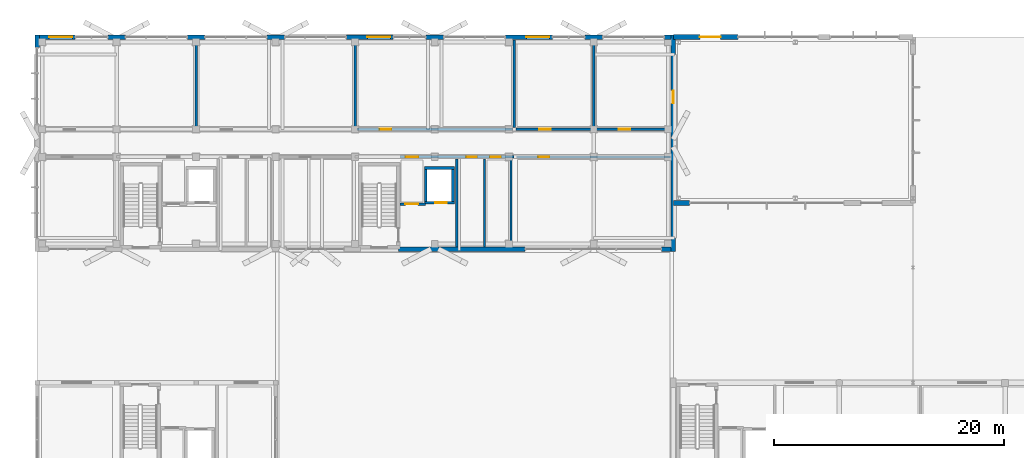
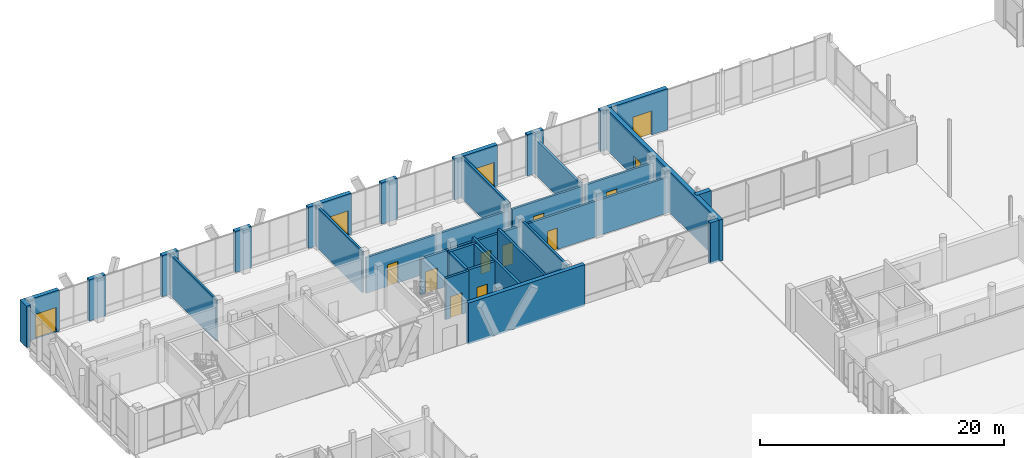
# One storey, part 198 of 233: 32 walls, 14 doors, 14 openings.
"""IFC4 building model written with IfcOpenShell, lengths in metres."""

import ifcopenshell
import ifcopenshell.guid

model = None  # the IFC model being written
_history = None  # IfcOwnerHistory: only IFC2X3 demands one
_inside = {}  # id of a spatial element -> (the spatial element, [elements in it])
_under = {}  # id of a project, library or spatial element -> (it, [spatial elements below it])
_declared = {}  # id of a project -> (the project, [libraries it declares])
_typed = {}  # id of a type object -> (the type object, [elements of that type])
_made_of = {}  # id of a material, layer set ... -> (it, [elements and type objects made of it])


def new_model(schema):
    """Start an empty IFC model of exactly this schema.

    Asked for "IFC4X3", IfcOpenShell would pick the latest addendum, in which some entities
    have other attributes; the version numbers below select the first issue.
    IFC2X3 requires an IfcOwnerHistory on every rooted entity: one is made here for all.
    """
    global model, _history
    if schema == "IFC4X3":
        model = ifcopenshell.file(schema_version=(4, 3, 0, 0))
    else:
        model = ifcopenshell.file(schema=schema)
    _inside.clear()
    _under.clear()
    _declared.clear()
    _typed.clear()
    _made_of.clear()
    _history = None
    if model.schema == "IFC2X3":
        org = make("IfcOrganization", Name="unknown")
        user = make(
            "IfcPersonAndOrganization",
            ThePerson=make("IfcPerson", FamilyName="unknown"),
            TheOrganization=org,
        )
        app = make(
            "IfcApplication",
            ApplicationDeveloper=org,
            Version="unknown",
            ApplicationFullName="unknown",
            ApplicationIdentifier="unknown",
        )
        _history = make(
            "IfcOwnerHistory",
            OwningUser=user,
            OwningApplication=app,
            ChangeAction="ADDED",
            CreationDate=0,
        )
    return model


def make(cls, **values):
    """One entity of the class cls with the attributes given. An attribute that is None is left unset."""
    return model.create_entity(
        cls, **{name: value for name, value in values.items() if value is not None}
    )


def rooted(cls, **values):
    """An entity with a GlobalId (a new one), such as an element, a storey or a relation."""
    return make(cls, GlobalId=ifcopenshell.guid.new(), OwnerHistory=_history, **values)


def si_unit(unit_type, name, prefix=None):
    """IfcSIUnit, for example si_unit("LENGTHUNIT", "METRE", prefix="MILLI")."""
    return make("IfcSIUnit", UnitType=unit_type, Prefix=prefix, Name=name)


def assignment(units):
    """IfcUnitAssignment: the units of a project."""
    return None if units is None else make("IfcUnitAssignment", Units=units)


def point(xyz):
    """IfcCartesianPoint."""
    return None if xyz is None else make("IfcCartesianPoint", Coordinates=xyz)


def direction(xyz):
    """IfcDirection."""
    return None if xyz is None else make("IfcDirection", DirectionRatios=xyz)


def frame(location, z_axis=None, x_axis=None):
    """IfcAxis2Placement3D, a coordinate frame: its origin and axes. An axis left out is left unset."""
    return make(
        "IfcAxis2Placement3D",
        Location=point(location),
        Axis=direction(z_axis),
        RefDirection=direction(x_axis),
    )


def frame_2d(location, x_axis=None):
    """IfcAxis2Placement2D, a coordinate frame in the plane: its origin and x axis."""
    return make(
        "IfcAxis2Placement2D", Location=point(location), RefDirection=direction(x_axis)
    )


def origin():
    """The frame at (0, 0, 0) with its axes left unset."""
    return frame((0.0, 0.0, 0.0))


def origin_with_axes():
    """The frame at (0, 0, 0) with the z axis (0, 0, 1) and the x axis (1, 0, 0) written out."""
    return frame((0.0, 0.0, 0.0), z_axis=(0.0, 0.0, 1.0), x_axis=(1.0, 0.0, 0.0))


def place(relative_to, where):
    """IfcLocalPlacement: puts the frame where relative to a parent placement (None: the world)."""
    return make(
        "IfcLocalPlacement", PlacementRelTo=relative_to, RelativePlacement=where
    )


def context(
    kind, dimensions, precision=None, world=None, true_north=None, identifier=None
):
    """IfcGeometricRepresentationContext, for example the 3D "Model" context."""
    return make(
        "IfcGeometricRepresentationContext",
        ContextIdentifier=identifier,
        ContextType=kind,
        CoordinateSpaceDimension=dimensions,
        Precision=precision,
        WorldCoordinateSystem=world,
        TrueNorth=true_north,
    )


def subcontext(parent, identifier, kind, view, scale=None):
    """IfcGeometricRepresentationSubContext, for example "Body" below "Model"."""
    return make(
        "IfcGeometricRepresentationSubContext",
        ContextIdentifier=identifier,
        ContextType=kind,
        ParentContext=parent,
        TargetScale=scale,
        TargetView=view,
    )


def project(units=None, contexts=None):
    """IfcProject with its units and contexts."""
    return rooted(
        "IfcProject",
        Name="project",
        RepresentationContexts=contexts,
        UnitsInContext=assignment(units),
    )


def spatial(cls, under=None, at=None, **own):
    """A site, building, storey or space (cls), placed at a placement, below another one or the project."""
    s = rooted(cls, ObjectPlacement=at, **own)
    if under is not None:
        _under.setdefault(under.id(), (under, []))[1].append(s)
    return s


def profile(cls, at=None, kind="AREA", **sizes):
    """A parametric profile (cls). Its sizes go by their IFC names, for example OverallWidth=200.0."""
    return make(cls, ProfileType=kind, Position=at, **sizes)


def rectangle(**sizes):
    """IfcRectangleProfileDef."""
    return profile("IfcRectangleProfileDef", **sizes)


def extrude(swept, where, along, depth):
    """IfcExtrudedAreaSolid: the profile swept, set in the frame where, extruded along a direction by depth."""
    return make(
        "IfcExtrudedAreaSolid",
        SweptArea=swept,
        Position=where,
        ExtrudedDirection=direction(along),
        Depth=depth,
    )


def shape(context_of_items, identifier, shape_type, items):
    """IfcShapeRepresentation: the items that make up one representation, for example the "Body"."""
    return make(
        "IfcShapeRepresentation",
        ContextOfItems=context_of_items,
        RepresentationIdentifier=identifier,
        RepresentationType=shape_type,
        Items=items,
    )


def material(Name=None, Category=None):
    """IfcMaterial."""
    return make("IfcMaterial", Name=Name, Category=Category)


def layer(
    of_material, thickness, ventilated=None, Name=None, Category=None, Priority=None
):
    """IfcMaterialLayer: one layer of a wall or slab, of a material (None: an air gap)."""
    return make(
        "IfcMaterialLayer",
        Material=of_material,
        LayerThickness=thickness,
        IsVentilated=ventilated,
        Name=Name,
        Category=Category,
        Priority=Priority,
    )


def layer_set(layers, Name=None):
    """IfcMaterialLayerSet."""
    return make("IfcMaterialLayerSet", MaterialLayers=layers, LayerSetName=Name)


def made_of(thing, what):
    """Note that an element or type object is made of a material, layer set ...; save() writes the relation."""
    if what is not None:
        _made_of.setdefault(what.id(), (what, []))[1].append(thing)
    return thing


def type_object(cls, material=None, **own):
    """A type object (cls), such as IfcWallType, which elements share."""
    return made_of(rooted(cls, **own), material)


def element(
    cls,
    number,
    at=None,
    inside=None,
    cuts=None,
    type_object=None,
    material=None,
    context=None,
    identifier="Body",
    shape_type=None,
    held_by="IfcProductDefinitionShape",
    body=None,
    shapes=None,
    **own,
):
    """One element of the class cls, such as IfcWall. Its Tag is "e" and its number.

    at: its placement. inside: the storey or other place that contains it. cuts: it is an
    opening in that element (IfcRelVoidsElement). A single representation is given by context,
    identifier, shape_type and body (its items); several are given by shapes. held_by: the class
    of the entity that holds the representations. save() writes the other relations.
    """
    e = rooted(cls, Tag="e%d" % number, ObjectPlacement=at, **own)
    if body is not None:
        shapes = [shape(context, identifier, shape_type, body)]
    if shapes is not None:
        e.Representation = make(held_by, Representations=shapes)
    if inside is not None:
        _inside.setdefault(inside.id(), (inside, []))[1].append(e)
    if cuts is not None:
        rooted(
            "IfcRelVoidsElement", RelatingBuildingElement=cuts, RelatedOpeningElement=e
        )
    if type_object is not None:
        _typed.setdefault(type_object.id(), (type_object, []))[1].append(e)
    return made_of(e, material)


def fill(opening, filler):
    """IfcRelFillsElement: the door or window that sits in an opening."""
    return rooted(
        "IfcRelFillsElement",
        RelatingOpeningElement=opening,
        RelatedBuildingElement=filler,
    )


def aggregate(whole, parts):
    """IfcRelAggregates: a whole, such as a stair, and the parts it consists of."""
    return rooted("IfcRelAggregates", RelatingObject=whole, RelatedObjects=parts)


def save(model, path):
    """Write the relations noted so far, then the file.

    IfcRelAggregates (storeys below a building ...), IfcRelContainedInSpatialStructure (elements
    in a storey), IfcRelDefinesByType, IfcRelAssociatesMaterial and IfcRelDeclares: one each for
    every whole, place, type object, material and project.
    """
    for whole, parts in _under.values():
        aggregate(whole, parts)
    for where, things in _inside.values():
        rooted(
            "IfcRelContainedInSpatialStructure",
            RelatedElements=things,
            RelatingStructure=where,
        )
    for kind, things in _typed.values():
        rooted("IfcRelDefinesByType", RelatedObjects=things, RelatingType=kind)
    for what, things in _made_of.values():
        rooted("IfcRelAssociatesMaterial", RelatedObjects=things, RelatingMaterial=what)
    for by, libraries in _declared.values():
        rooted("IfcRelDeclares", RelatingContext=by, RelatedDefinitions=libraries)
    model.write(path)


model = new_model("IFC4")

# Units and contexts
model_context = context("Model", 3, precision=1e-05, world=origin(), true_north=direction((0.0, 1.0)))
body_context = subcontext(model_context, "Body", "Model", "MODEL_VIEW")
ifc_project = project(units=[si_unit("LENGTHUNIT", "METRE"), si_unit("AREAUNIT", "SQUARE_METRE"), si_unit("VOLUMEUNIT", "CUBIC_METRE"), si_unit("PLANEANGLEUNIT", "RADIAN"), si_unit("MASSUNIT", "GRAM", prefix="KILO")], contexts=[model_context])

# Site, building, storey
site_placement = place(None, origin())
site = spatial("IfcSite", under=ifc_project, at=site_placement, CompositionType="ELEMENT")
building_placement = place(site_placement, origin())
building = spatial("IfcBuilding", under=site, at=building_placement, Name="Zavelmont Quarter", CompositionType="ELEMENT")
storey_placement = place(building_placement, origin())
storey = spatial("IfcBuildingStorey", under=building, at=storey_placement, Name="L00", CompositionType="ELEMENT", Elevation=0.0)

# Walls
ifc_material_1 = material(Name="Natural Belgian limestone", Category="masonry")
ifc_layer_1 = layer(ifc_material_1, 0.3798828125)
ifc_layer_set_1 = layer_set([ifc_layer_1], Name="Natural Belgian limestone")
wall_type_1 = type_object("IfcWallType", Name="EW01", PredefinedType="STANDARD", material=ifc_layer_set_1)
wall_1_placement = place(storey_placement, frame((31.35009765625, 97.60009765625, 0.0), z_axis=(0.0, 0.0, 1.0), x_axis=(1.0, 0.0, 0.0)))
element("IfcWall", 1, at=wall_1_placement, inside=storey, type_object=wall_type_1, Name="L00 exterior limestone wall EW01", PredefinedType="STANDARD", context=body_context, shape_type="SweptSolid", body=[
    extrude(rectangle(XDim=11.0, YDim=0.3798828125, at=frame_2d((5.5, 0.0))), origin(), (0.0, 0.0, 1.0), 4.1201171875),
])
wall_2_placement = place(storey_placement, frame((54.199951171875, 97.60009765625, 0.0), z_axis=(0.0, 0.0, 1.0), x_axis=(1.0, 0.0, 0.0)))
element("IfcWall", 2, at=wall_2_placement, inside=storey, type_object=wall_type_1, Name="L00 exterior limestone wall EW01", PredefinedType="STANDARD", context=body_context, shape_type="SweptSolid", body=[
    extrude(rectangle(XDim=0.820068359375, YDim=0.3798828125, at=frame_2d((0.41015625, 0.0))), origin(), (0.0, 0.0, 1.0), 4.1201171875),
])

# Wall, opening, door
wall_3_placement = place(storey_placement, frame((0.179931640625, 116.0, 0.0), z_axis=(0.0, 0.0, 1.0), x_axis=(1.0, 0.0, 0.0)))
wall_3 = element("IfcWall", 3, at=wall_3_placement, inside=storey, type_object=wall_type_1, Name="L00 exterior limestone wall EW01", PredefinedType="STANDARD", context=body_context, shape_type="SweptSolid", body=[
    extrude(rectangle(XDim=3.1201171875, YDim=0.3798828125, at=frame_2d((1.56005859375, 0.0))), origin(), (0.0, 0.0, 1.0), 4.1201171875),
])
opening_1_placement = place(wall_3_placement, frame((0.8701171875, 0.0, 0.0)))
opening_1 = element("IfcOpeningElement", 4, at=opening_1_placement, cuts=wall_3, Name="Opening DR01A", PredefinedType="OPENING", context=body_context, shape_type="SweptSolid", body=[
    extrude(rectangle(XDim=2.0, YDim=2.449951171875, at=frame_2d((1.0, 1.22509765625))), frame((0.0, 0.201904296875, 0.0), z_axis=(0.0, -1.0, 0.0), x_axis=(1.0, 0.0, 0.0)), (0.0, 0.0, 1.0), 0.40380859375),
])
ifc_material_2 = material(Name="Powder-coated aluminium and tempered double safety glass", Category="aluminium")
door_type_1 = type_object("IfcDoorType", Name="DR01A", OperationType="DOUBLE_DOOR_SINGLE_SWING", PredefinedType="DOOR", material=ifc_material_2)
door_1_placement = place(opening_1_placement, origin_with_axes())
door_1 = element("IfcDoor", 5, at=door_1_placement, inside=storey, type_object=door_type_1, Name="Block B street entrance final exit door", OperationType="DOUBLE_DOOR_SINGLE_SWING", OverallHeight=2.449951171875, OverallWidth=2.0, PredefinedType="DOOR", context=body_context, shape_type="SweptSolid", body=[
    extrude(rectangle(XDim=2.0, YDim=2.449951171875, at=frame_2d((1.0, 1.22509765625))), frame((0.0, 0.02490234375, 0.0), z_axis=(0.0, -1.0, 0.0), x_axis=(1.0, 0.0, 0.0)), (0.0, 0.0, 1.0), 0.050048828125),
])
fill(opening_1, door_1)

# Walls
for number, where, z_axis, x_axis, name in (
    (6, (6.14990234375, 116.0, 0.0), (0.0, 0.0, 1.0), (1.0, 0.0, 0.0), "L00 exterior limestone wall EW01"),
    (7, (13.050048828125, 116.0, 0.0), (0.0, 0.0, 1.0), (1.0, 0.0, 0.0), "L00 exterior limestone wall EW01"),
    (8, (19.949951171875, 116.0, 0.0), (0.0, 0.0, 1.0), (1.0, 0.0, 0.0), "L00 exterior limestone wall EW01"),
):
    element("IfcWall", number, at=place(storey_placement, frame(where, z_axis=z_axis, x_axis=x_axis)), inside=storey, type_object=wall_type_1, Name=name, PredefinedType="STANDARD", context=body_context, shape_type="SweptSolid", body=[
        extrude(rectangle(XDim=1.5, YDim=0.3798828125, at=frame_2d((0.75, 0.0))), origin(), (0.0, 0.0, 1.0), 4.1201171875),
    ])

# Wall, opening, door
wall_4_placement = place(storey_placement, frame((26.85009765625, 116.0, 0.0), z_axis=(0.0, 0.0, 1.0), x_axis=(1.0, 0.0, 0.0)))
wall_4 = element("IfcWall", 9, at=wall_4_placement, inside=storey, type_object=wall_type_1, Name="L00 exterior limestone wall EW01", PredefinedType="STANDARD", context=body_context, shape_type="SweptSolid", body=[
    extrude(rectangle(XDim=4.0498046875, YDim=0.3798828125, at=frame_2d((2.02490234375, 0.0))), origin(), (0.0, 0.0, 1.0), 4.1201171875),
])
opening_2_placement = place(wall_4_placement, frame((1.800048828125, 0.0, 0.0)))
opening_2 = element("IfcOpeningElement", 10, at=opening_2_placement, cuts=wall_4, Name="Opening DR01A", PredefinedType="OPENING", context=body_context, shape_type="SweptSolid", body=[
    extrude(rectangle(XDim=2.0, YDim=2.449951171875, at=frame_2d((1.0, 1.22509765625))), frame((0.0, 0.201904296875, 0.0), z_axis=(0.0, -1.0, 0.0), x_axis=(1.0, 0.0, 0.0)), (0.0, 0.0, 1.0), 0.40380859375),
])
door_2_placement = place(opening_2_placement, origin_with_axes())
door_2 = element("IfcDoor", 11, at=door_2_placement, inside=storey, type_object=door_type_1, Name="Block B street entrance final exit door", OperationType="DOUBLE_DOOR_SINGLE_SWING", OverallHeight=2.449951171875, OverallWidth=2.0, PredefinedType="DOOR", context=body_context, shape_type="SweptSolid", body=[
    extrude(rectangle(XDim=2.0, YDim=2.449951171875, at=frame_2d((1.0, 1.22509765625))), frame((0.0, 0.02490234375, 0.0), z_axis=(0.0, -1.0, 0.0), x_axis=(1.0, 0.0, 0.0)), (0.0, 0.0, 1.0), 0.050048828125),
])
fill(opening_2, door_2)

# Wall
wall_5_placement = place(storey_placement, frame((33.75, 116.0, 0.0), z_axis=(0.0, 0.0, 1.0), x_axis=(1.0, 0.0, 0.0)))
element("IfcWall", 12, at=wall_5_placement, inside=storey, type_object=wall_type_1, Name="L00 exterior limestone wall EW01", PredefinedType="STANDARD", context=body_context, shape_type="SweptSolid", body=[
    extrude(rectangle(XDim=1.5, YDim=0.3798828125, at=frame_2d((0.75, 0.0))), origin(), (0.0, 0.0, 1.0), 4.1201171875),
])

# Wall, opening, door
wall_6_placement = place(storey_placement, frame((40.64990234375, 116.0, 0.0), z_axis=(0.0, 0.0, 1.0), x_axis=(1.0, 0.0, 0.0)))
wall_6 = element("IfcWall", 13, at=wall_6_placement, inside=storey, type_object=wall_type_1, Name="L00 exterior limestone wall EW01", PredefinedType="STANDARD", context=body_context, shape_type="SweptSolid", body=[
    extrude(rectangle(XDim=4.050048828125, YDim=0.3798828125, at=frame_2d((2.02490234375, 0.0))), origin(), (0.0, 0.0, 1.0), 4.1201171875),
])
opening_3_placement = place(wall_6_placement, frame((1.800048828125, 0.0, 0.0)))
opening_3 = element("IfcOpeningElement", 14, at=opening_3_placement, cuts=wall_6, Name="Opening DR01A", PredefinedType="OPENING", context=body_context, shape_type="SweptSolid", body=[
    extrude(rectangle(XDim=2.0, YDim=2.449951171875, at=frame_2d((1.0, 1.22509765625))), frame((0.0, 0.201904296875, 0.0), z_axis=(0.0, -1.0, 0.0), x_axis=(1.0, 0.0, 0.0)), (0.0, 0.0, 1.0), 0.40380859375),
])
door_3_placement = place(opening_3_placement, origin_with_axes())
door_3 = element("IfcDoor", 15, at=door_3_placement, inside=storey, type_object=door_type_1, Name="Block B street entrance final exit door", OperationType="DOUBLE_DOOR_SINGLE_SWING", OverallHeight=2.449951171875, OverallWidth=2.0, PredefinedType="DOOR", context=body_context, shape_type="SweptSolid", body=[
    extrude(rectangle(XDim=2.0, YDim=2.449951171875, at=frame_2d((1.0, 1.22509765625))), frame((0.0, 0.02490234375, 0.0), z_axis=(0.0, -1.0, 0.0), x_axis=(1.0, 0.0, 0.0)), (0.0, 0.0, 1.0), 0.050048828125),
])
fill(opening_3, door_3)

# Walls
wall_7_placement = place(storey_placement, frame((47.550048828125, 116.0, 0.0), z_axis=(0.0, 0.0, 1.0), x_axis=(1.0, 0.0, 0.0)))
element("IfcWall", 16, at=wall_7_placement, inside=storey, type_object=wall_type_1, Name="L00 exterior limestone wall EW01", PredefinedType="STANDARD", context=body_context, shape_type="SweptSolid", body=[
    extrude(rectangle(XDim=1.5, YDim=0.3798828125, at=frame_2d((0.75, 0.0))), origin(), (0.0, 0.0, 1.0), 4.1201171875),
])
wall_8_placement = place(storey_placement, frame((54.449951171875, 116.0, 0.0), z_axis=(0.0, 0.0, 1.0), x_axis=(1.0, 0.0, 0.0)))
element("IfcWall", 17, at=wall_8_placement, inside=storey, type_object=wall_type_1, Name="L00 exterior limestone wall EW01", PredefinedType="STANDARD", context=body_context, shape_type="SweptSolid", body=[
    extrude(rectangle(XDim=0.570068359375, YDim=0.3798828125, at=frame_2d((0.28515625, 0.0))), origin(), (0.0, 0.0, 1.0), 4.1201171875),
])
wall_9_placement = place(storey_placement, frame((0.0, 115.10009765625, 0.0), z_axis=(0.0, 0.0, 1.0), x_axis=(0.0, 1.0, 0.0)))
element("IfcWall", 18, at=wall_9_placement, inside=storey, type_object=wall_type_1, Name="L00 exterior limestone wall EW01", PredefinedType="STANDARD", context=body_context, shape_type="SweptSolid", body=[
    extrude(rectangle(XDim=1.08984375, YDim=0.3798828125, at=frame_2d((0.544921875, 0.0))), origin(), (0.0, 0.0, 1.0), 4.1201171875),
])

# Wall, opening, door
wall_10_placement = place(storey_placement, frame((55.199951171875, 97.409912109375, 0.0), z_axis=(0.0, 0.0, 1.0), x_axis=(0.0, 1.0, 0.0)))
wall_10 = element("IfcWall", 19, at=wall_10_placement, inside=storey, type_object=wall_type_1, Name="L00 exterior limestone wall EW01", PredefinedType="STANDARD", context=body_context, shape_type="SweptSolid", body=[
    extrude(rectangle(XDim=18.780029296875, YDim=0.3798828125, at=frame_2d((9.39013671875, 0.0))), origin(), (0.0, 0.0, 1.0), 4.1201171875),
])
opening_4_placement = place(wall_10_placement, frame((12.840087890625, 0.0, 0.0)))
opening_4 = element("IfcOpeningElement", 20, at=opening_4_placement, cuts=wall_10, Name="Opening DR04B", PredefinedType="OPENING", context=body_context, shape_type="SweptSolid", body=[
    extrude(rectangle(XDim=1.10009765625, YDim=2.10009765625, at=frame_2d((0.550048828125, 1.050048828125))), frame((0.0, 0.201904296875, 0.0), z_axis=(0.0, -1.0, 0.0), x_axis=(1.0, 0.0, 0.0)), (0.0, 0.0, 1.0), 0.40380859375),
])
ifc_material_3 = material(Name="Thermally broken aluminium and double safety glass", Category="aluminium")
door_type_2 = type_object("IfcDoorType", Name="DR04B", OperationType="NOTDEFINED", PredefinedType="DOOR", material=ifc_material_3)
door_4_placement = place(opening_4_placement, origin_with_axes())
door_4 = element("IfcDoor", 21, at=door_4_placement, inside=storey, type_object=door_type_2, Name="Block B L00 street arcade link door", OperationType="SINGLE_SWING_RIGHT", OverallHeight=2.10009765625, OverallWidth=1.10009765625, PredefinedType="DOOR", context=body_context, shape_type="SweptSolid", body=[
    extrude(rectangle(XDim=1.10009765625, YDim=2.10009765625, at=frame_2d((0.550048828125, 1.050048828125))), frame((0.0, 0.02490234375, 0.0), z_axis=(0.0, -1.0, 0.0), x_axis=(1.0, 0.0, 0.0)), (0.0, 0.0, 1.0), 0.050048828125),
])
fill(opening_4, door_4)

ifc_layer_2 = layer(ifc_material_1, 0.419921875)
ifc_layer_set_2 = layer_set([ifc_layer_2], Name="Natural Belgian limestone")
wall_type_2 = type_object("IfcWallType", Name="EW04", PredefinedType="STANDARD", material=ifc_layer_set_2)
wall_11_placement = place(storey_placement, frame((55.199951171875, 116.0, 0.0), z_axis=(0.0, 0.0, 1.0), x_axis=(1.0, 0.0, 0.0)))
wall_11 = element("IfcWall", 22, at=wall_11_placement, inside=storey, type_object=wall_type_2, Name="L00 exterior limestone wall EW04", PredefinedType="STANDARD", context=body_context, shape_type="SweptSolid", body=[
    extrude(rectangle(XDim=5.60009765625, YDim=0.419921875, at=frame_2d((2.800048828125, 0.0))), origin(), (0.0, 0.0, 1.0), 4.1201171875),
])
opening_5_placement = place(wall_11_placement, frame((2.300048828125, 0.0, 0.0)))
opening_5 = element("IfcOpeningElement", 23, at=opening_5_placement, cuts=wall_11, Name="Opening DR01", PredefinedType="OPENING", context=body_context, shape_type="SweptSolid", body=[
    extrude(rectangle(XDim=1.800048828125, YDim=2.39990234375, at=frame_2d((0.89990234375, 1.199951171875))), frame((0.0, 0.221923828125, 0.0), z_axis=(0.0, -1.0, 0.0), x_axis=(1.0, 0.0, 0.0)), (0.0, 0.0, 1.0), 0.44384765625),
])
door_type_3 = type_object("IfcDoorType", Name="DR01", OperationType="DOUBLE_DOOR_SINGLE_SWING", PredefinedType="DOOR", material=ifc_material_2)
door_5_placement = place(opening_5_placement, origin_with_axes())
door_5 = element("IfcDoor", 24, at=door_5_placement, inside=storey, type_object=door_type_3, Name="L00 exterior door DR01", OperationType="DOUBLE_DOOR_SINGLE_SWING", OverallHeight=2.39990234375, OverallWidth=1.800048828125, PredefinedType="DOOR", context=body_context, shape_type="SweptSolid", body=[
    extrude(rectangle(XDim=1.800048828125, YDim=2.39990234375, at=frame_2d((0.89990234375, 1.199951171875))), frame((0.0, 0.02490234375, 0.0), z_axis=(0.0, -1.0, 0.0), x_axis=(1.0, 0.0, 0.0)), (0.0, 0.0, 1.0), 0.050048828125),
])
fill(opening_5, door_5)

# Walls
wall_12_placement = place(storey_placement, frame((55.199951171875, 101.60009765625, 0.0), z_axis=(0.0, 0.0, 1.0), x_axis=(1.0, 0.0, 0.0)))
element("IfcWall", 25, at=wall_12_placement, inside=storey, type_object=wall_type_2, Name="L00 exterior limestone wall EW04", PredefinedType="STANDARD", context=body_context, shape_type="SweptSolid", body=[
    extrude(rectangle(XDim=1.400146484375, YDim=0.419921875, at=frame_2d((0.7001953125, 0.0))), origin(), (0.0, 0.0, 1.0), 4.1201171875),
])
ifc_material_4 = material(Name="Calcium-silicate blockwork and acoustic plaster", Category="masonry")
ifc_layer_3 = layer(ifc_material_4, 0.199951171875)
ifc_layer_set_3 = layer_set([ifc_layer_3], Name="Calcium-silicate blockwork and acoustic plaster")
wall_type_3 = type_object("IfcWallType", Name="IW01", PredefinedType="PARTITIONING", material=ifc_layer_set_3)
for number, where, z_axis, x_axis, name in (
    (26, (38.824951171875, 97.800048828125, 0.0), (0.0, 0.0, 1.0), (0.0, 1.0, 0.0), "L00 Service riser divider wall IW01"),
    (27, (41.1201171875, 97.800048828125, 0.0), (0.0, 0.0, 1.0), (0.0, 1.0, 0.0), "L00 Core service end wall IW01"),
):
    element("IfcWall", number, at=place(storey_placement, frame(where, z_axis=z_axis, x_axis=x_axis)), inside=storey, type_object=wall_type_3, Name=name, PredefinedType="PARTITIONING", context=body_context, shape_type="SweptSolid", body=[
        extrude(rectangle(XDim=7.599853515625, YDim=0.199951171875, at=frame_2d((3.7998046875, 0.0))), origin(), (0.0, 0.0, 1.0), 4.1201171875),
    ])
for number, where, z_axis, x_axis, name in (
    (28, (13.800048828125, 108.14990234375, 0.0), (0.0, 0.0, 1.0), (0.0, 1.0, 0.0), "L00 Interior partition IW01"),
    (29, (27.60009765625, 108.14990234375, 0.0), (0.0, 0.0, 1.0), (0.0, 1.0, 0.0), "L00 Interior partition IW01"),
):
    element("IfcWall", number, at=place(storey_placement, frame(where, z_axis=z_axis, x_axis=x_axis)), inside=storey, type_object=wall_type_3, Name=name, PredefinedType="PARTITIONING", context=body_context, shape_type="SweptSolid", body=[
        extrude(rectangle(XDim=7.60009765625, YDim=0.199951171875, at=frame_2d((3.800048828125, 0.0))), origin(), (0.0, 0.0, 1.0), 4.1201171875),
    ])

# Wall, opening, door
wall_13_placement = place(storey_placement, frame((27.75, 108.0, 0.0), z_axis=(0.0, 0.0, 1.0), x_axis=(1.0, 0.0, 0.0)))
wall_13 = element("IfcWall", 30, at=wall_13_placement, inside=storey, type_object=wall_type_3, Name="L00 Pram and Cycle Room corridor wall IW01", PredefinedType="PARTITIONING", context=body_context, shape_type="SweptSolid", body=[
    extrude(rectangle(XDim=13.5, YDim=0.199951171875, at=frame_2d((6.75, 0.0))), origin(), (0.0, 0.0, 1.0), 3.56005859375),
])
opening_6_placement = place(wall_13_placement, frame((2.0, 0.0, 0.0)))
opening_6 = element("IfcOpeningElement", 31, at=opening_6_placement, cuts=wall_13, Name="Opening DR07", PredefinedType="OPENING", context=body_context, shape_type="SweptSolid", body=[
    extrude(rectangle(XDim=1.0, YDim=2.14990234375, at=frame_2d((0.5, 1.074951171875))), frame((0.0, 0.11181640625, 0.0), z_axis=(0.0, -1.0, 0.0), x_axis=(1.0, 0.0, 0.0)), (0.0, 0.0, 1.0), 0.223876953125),
])
ifc_material_5 = material(Name="Solid-core oak fire leaf in steel frame", Category="steel")
door_type_4 = type_object("IfcDoorType", Name="DR07", OperationType="NOTDEFINED", PredefinedType="DOOR", material=ifc_material_5)
door_6_placement = place(opening_6_placement, frame((1.0, 0.0, 0.0), z_axis=(0.0, 0.0, 1.0), x_axis=(-1.0, 0.0, 0.0)))
door_6 = element("IfcDoor", 32, at=door_6_placement, inside=storey, type_object=door_type_4, Name="L00 door DR07", OperationType="SINGLE_SWING_LEFT", OverallHeight=2.14990234375, OverallWidth=1.0, PredefinedType="DOOR", context=body_context, shape_type="SweptSolid", body=[
    extrude(rectangle(XDim=1.0, YDim=2.14990234375, at=frame_2d((0.5, 1.074951171875))), frame((0.0, 0.02490234375, 0.0), z_axis=(0.0, -1.0, 0.0), x_axis=(1.0, 0.0, 0.0)), (0.0, 0.0, 1.0), 0.050048828125),
])
fill(opening_6, door_6)

# Wall
wall_14_placement = place(storey_placement, frame((41.39990234375, 108.14990234375, 0.0), z_axis=(0.0, 0.0, 1.0), x_axis=(0.0, 1.0, 0.0)))
element("IfcWall", 33, at=wall_14_placement, inside=storey, type_object=wall_type_3, Name="L00 Interior partition IW01", PredefinedType="PARTITIONING", context=body_context, shape_type="SweptSolid", body=[
    extrude(rectangle(XDim=7.60009765625, YDim=0.199951171875, at=frame_2d((3.800048828125, 0.0))), origin(), (0.0, 0.0, 1.0), 4.1201171875),
])

# Wall, opening, door
wall_15_placement = place(storey_placement, frame((41.550048828125, 108.0, 0.0), z_axis=(0.0, 0.0, 1.0), x_axis=(1.0, 0.0, 0.0)))
wall_15 = element("IfcWall", 34, at=wall_15_placement, inside=storey, type_object=wall_type_3, Name="L00 Refuse and Recycling Room corridor wall IW01", PredefinedType="PARTITIONING", context=body_context, shape_type="SweptSolid", body=[
    extrude(rectangle(XDim=6.599853515625, YDim=0.199951171875, at=frame_2d((3.2998046875, 0.0))), origin(), (0.0, 0.0, 1.0), 3.56005859375),
])
opening_7_placement = place(wall_15_placement, frame((2.0, 0.0, 0.0)))
opening_7 = element("IfcOpeningElement", 35, at=opening_7_placement, cuts=wall_15, Name="Opening DR07", PredefinedType="OPENING", context=body_context, shape_type="SweptSolid", body=[
    extrude(rectangle(XDim=1.0, YDim=2.14990234375, at=frame_2d((0.5, 1.074951171875))), frame((0.0, 0.11181640625, 0.0), z_axis=(0.0, -1.0, 0.0), x_axis=(1.0, 0.0, 0.0)), (0.0, 0.0, 1.0), 0.223876953125),
])
door_7_placement = place(opening_7_placement, origin_with_axes())
door_7 = element("IfcDoor", 36, at=door_7_placement, inside=storey, type_object=door_type_4, Name="L00 door DR07", OperationType="SINGLE_SWING_RIGHT", OverallHeight=2.14990234375, OverallWidth=1.0, PredefinedType="DOOR", context=body_context, shape_type="SweptSolid", body=[
    extrude(rectangle(XDim=1.0, YDim=2.14990234375, at=frame_2d((0.5, 1.074951171875))), frame((0.0, 0.02490234375, 0.0), z_axis=(0.0, -1.0, 0.0), x_axis=(1.0, 0.0, 0.0)), (0.0, 0.0, 1.0), 0.050048828125),
])
fill(opening_7, door_7)

# Wall
wall_16_placement = place(storey_placement, frame((48.300048828125, 108.14990234375, 0.0), z_axis=(0.0, 0.0, 1.0), x_axis=(0.0, 1.0, 0.0)))
element("IfcWall", 37, at=wall_16_placement, inside=storey, type_object=wall_type_3, Name="L00 Interior partition IW01", PredefinedType="PARTITIONING", context=body_context, shape_type="SweptSolid", body=[
    extrude(rectangle(XDim=7.60009765625, YDim=0.199951171875, at=frame_2d((3.800048828125, 0.0))), origin(), (0.0, 0.0, 1.0), 3.56005859375),
])

# Wall, opening, door
wall_17_placement = place(storey_placement, frame((48.449951171875, 108.0, 0.0), z_axis=(0.0, 0.0, 1.0), x_axis=(1.0, 0.0, 0.0)))
wall_17 = element("IfcWall", 38, at=wall_17_placement, inside=storey, type_object=wall_type_3, Name="L00 Accessible Toilet corridor wall IW01", PredefinedType="PARTITIONING", context=body_context, shape_type="SweptSolid", body=[
    extrude(rectangle(XDim=6.449951171875, YDim=0.199951171875, at=frame_2d((3.22509765625, 0.0))), origin(), (0.0, 0.0, 1.0), 3.56005859375),
])
opening_8_placement = place(wall_17_placement, frame((2.0, 0.0, 0.0)))
opening_8 = element("IfcOpeningElement", 39, at=opening_8_placement, cuts=wall_17, Name="Opening DR07", PredefinedType="OPENING", context=body_context, shape_type="SweptSolid", body=[
    extrude(rectangle(XDim=1.0, YDim=2.14990234375, at=frame_2d((0.5, 1.074951171875))), frame((0.0, 0.11181640625, 0.0), z_axis=(0.0, -1.0, 0.0), x_axis=(1.0, 0.0, 0.0)), (0.0, 0.0, 1.0), 0.223876953125),
])
door_8_placement = place(opening_8_placement, frame((1.0, 0.0, 0.0), z_axis=(0.0, 0.0, 1.0), x_axis=(-1.0, 0.0, 0.0)))
door_8 = element("IfcDoor", 40, at=door_8_placement, inside=storey, type_object=door_type_4, Name="L00 door DR07", OperationType="SINGLE_SWING_LEFT", OverallHeight=2.14990234375, OverallWidth=1.0, PredefinedType="DOOR", context=body_context, shape_type="SweptSolid", body=[
    extrude(rectangle(XDim=1.0, YDim=2.14990234375, at=frame_2d((0.5, 1.074951171875))), frame((0.0, 0.02490234375, 0.0), z_axis=(0.0, -1.0, 0.0), x_axis=(1.0, 0.0, 0.0)), (0.0, 0.0, 1.0), 0.050048828125),
])
fill(opening_8, door_8)

wall_18_placement = place(storey_placement, frame((41.60009765625, 105.60009765625, 0.0), z_axis=(0.0, 0.0, 1.0), x_axis=(1.0, 0.0, 0.0)))
wall_18 = element("IfcWall", 41, at=wall_18_placement, inside=storey, type_object=wall_type_3, Name="L00 Interior partition IW01", PredefinedType="PARTITIONING", context=body_context, shape_type="SweptSolid", body=[
    extrude(rectangle(XDim=13.349853515625, YDim=0.199951171875, at=frame_2d((6.6748046875, 0.0))), origin(), (0.0, 0.0, 1.0), 3.56005859375),
])
opening_9_placement = place(wall_18_placement, frame((1.89990234375, 0.0, 0.0)))
opening_9 = element("IfcOpeningElement", 42, at=opening_9_placement, cuts=wall_18, Name="Opening DR02", PredefinedType="OPENING", context=body_context, shape_type="SweptSolid", body=[
    extrude(rectangle(XDim=0.949951171875, YDim=2.14990234375, at=frame_2d((0.47509765625, 1.074951171875))), frame((0.0, 0.11181640625, 0.0), z_axis=(0.0, -1.0, 0.0), x_axis=(1.0, 0.0, 0.0)), (0.0, 0.0, 1.0), 0.223876953125),
])
door_type_5 = type_object("IfcDoorType", Name="DR02", OperationType="NOTDEFINED", PredefinedType="DOOR", material=ifc_material_5)
door_9_placement = place(opening_9_placement, origin_with_axes())
door_9 = element("IfcDoor", 43, at=door_9_placement, inside=storey, type_object=door_type_5, Name="L00 door DR02", OperationType="SINGLE_SWING_LEFT", OverallHeight=2.14990234375, OverallWidth=0.949951171875, PredefinedType="DOOR", context=body_context, shape_type="SweptSolid", body=[
    extrude(rectangle(XDim=0.949951171875, YDim=2.14990234375, at=frame_2d((0.47509765625, 1.074951171875))), frame((0.0, 0.02490234375, 0.0), z_axis=(0.0, -1.0, 0.0), x_axis=(1.0, 0.0, 0.0)), (0.0, 0.0, 1.0), 0.050048828125),
])
fill(opening_9, door_9)

# Wall
ifc_material_6 = material(Name="Reinforced masonry fire compartment wall", Category="masonry")
ifc_layer_4 = layer(ifc_material_6, 0.22509765625)
ifc_layer_set_4 = layer_set([ifc_layer_4], Name="Reinforced masonry fire compartment wall")
wall_type_4 = type_object("IfcWallType", Name="IW02", PredefinedType="PARTITIONING", material=ifc_layer_set_4)
wall_19_placement = place(storey_placement, frame((36.409912109375, 97.800048828125, 0.0), z_axis=(0.0, 0.0, 1.0), x_axis=(0.0, 1.0, 0.0)))
element("IfcWall", 44, at=wall_19_placement, inside=storey, type_object=wall_type_4, Name="L00 Firefighting lobby enclosure wall IW02", PredefinedType="PARTITIONING", context=body_context, shape_type="SweptSolid", body=[
    extrude(rectangle(XDim=7.599853515625, YDim=0.22509765625, at=frame_2d((3.7998046875, 0.0))), origin(), (0.0, 0.0, 1.0), 4.1201171875),
])

# Wall, opening, door
wall_20_placement = place(storey_placement, frame((31.5, 101.5, 0.0), z_axis=(0.0, 0.0, 1.0), x_axis=(1.0, 0.0, 0.0)))
wall_20 = element("IfcWall", 45, at=wall_20_placement, inside=storey, type_object=wall_type_4, Name="L00 Firefighting lobby threshold wall IW02", PredefinedType="PARTITIONING", context=body_context, shape_type="SweptSolid", body=[
    extrude(rectangle(XDim=2.199951171875, YDim=0.22509765625, at=frame_2d((1.10009765625, 0.0))), origin(), (0.0, 0.0, 1.0), 4.1201171875),
])
opening_10_placement = place(wall_20_placement, frame((0.449951171875, 0.0, 0.0)))
opening_10 = element("IfcOpeningElement", 46, at=opening_10_placement, cuts=wall_20, Name="Opening DR10", PredefinedType="OPENING", context=body_context, shape_type="SweptSolid", body=[
    extrude(rectangle(XDim=1.10009765625, YDim=2.14990234375, at=frame_2d((0.550048828125, 1.074951171875))), frame((0.0, 0.12451171875, 0.0), z_axis=(0.0, -1.0, 0.0), x_axis=(1.0, 0.0, 0.0)), (0.0, 0.0, 1.0), 0.2490234375),
])
ifc_material_7 = material(Name="Painted steel lobby fire door", Category="steel")
door_type_6 = type_object("IfcDoorType", Name="DR10", OperationType="NOTDEFINED", PredefinedType="DOOR", material=ifc_material_7)
door_10_placement = place(opening_10_placement, frame((1.10009765625, 0.0, 0.0), z_axis=(0.0, 0.0, 1.0), x_axis=(-1.0, 0.0, 0.0)))
door_10 = element("IfcDoor", 47, at=door_10_placement, inside=storey, type_object=door_type_6, Name="Firefighting lobby fire door", OperationType="SINGLE_SWING_LEFT", OverallHeight=2.14990234375, OverallWidth=1.10009765625, PredefinedType="DOOR", context=body_context, shape_type="SweptSolid", body=[
    extrude(rectangle(XDim=1.10009765625, YDim=2.14990234375, at=frame_2d((0.550048828125, 1.074951171875))), frame((0.0, 0.02490234375, 0.0), z_axis=(0.0, -1.0, 0.0), x_axis=(1.0, 0.0, 0.0)), (0.0, 0.0, 1.0), 0.050048828125),
])
fill(opening_10, door_10)

# Wall, openings, doors
wall_21_placement = place(storey_placement, frame((31.5, 105.60009765625, 0.0), z_axis=(0.0, 0.0, 1.0), x_axis=(1.0, 0.0, 0.0)))
wall_21 = element("IfcWall", 48, at=wall_21_placement, inside=storey, type_object=wall_type_4, Name="L00 Core corridor fire wall IW02", PredefinedType="PARTITIONING", context=body_context, shape_type="SweptSolid", body=[
    extrude(rectangle(XDim=9.89990234375, YDim=0.22509765625, at=frame_2d((4.949951171875, 0.0))), origin(), (0.0, 0.0, 1.0), 3.56005859375),
])
opening_11_placement = place(wall_21_placement, frame((0.47509765625, 0.0, 0.0)))
opening_11 = element("IfcOpeningElement", 49, at=opening_11_placement, cuts=wall_21, Name="Opening DR10", PredefinedType="OPENING", context=body_context, shape_type="SweptSolid", body=[
    extrude(rectangle(XDim=1.10009765625, YDim=2.14990234375, at=frame_2d((0.550048828125, 1.074951171875))), frame((0.0, 0.12451171875, 0.0), z_axis=(0.0, -1.0, 0.0), x_axis=(1.0, 0.0, 0.0)), (0.0, 0.0, 1.0), 0.2490234375),
])
opening_12_placement = place(wall_21_placement, frame((5.75, 0.0, 0.0)))
opening_12 = element("IfcOpeningElement", 50, at=opening_12_placement, cuts=wall_21, Name="Opening DR11", PredefinedType="OPENING", context=body_context, shape_type="SweptSolid", body=[
    extrude(rectangle(XDim=0.89990234375, YDim=2.10009765625, at=frame_2d((0.449951171875, 1.050048828125))), frame((0.0, 0.12451171875, 0.0), z_axis=(0.0, -1.0, 0.0), x_axis=(1.0, 0.0, 0.0)), (0.0, 0.0, 1.0), 0.2490234375),
])
opening_13_placement = place(wall_21_placement, frame((7.800048828125, 0.0, 0.0)))
opening_13 = element("IfcOpeningElement", 51, at=opening_13_placement, cuts=wall_21, Name="Opening DR02", PredefinedType="OPENING", context=body_context, shape_type="SweptSolid", body=[
    extrude(rectangle(XDim=0.949951171875, YDim=2.14990234375, at=frame_2d((0.47509765625, 1.074951171875))), frame((0.0, 0.12451171875, 0.0), z_axis=(0.0, -1.0, 0.0), x_axis=(1.0, 0.0, 0.0)), (0.0, 0.0, 1.0), 0.2490234375),
])
door_11_placement = place(opening_13_placement, origin_with_axes())
door_11 = element("IfcDoor", 52, at=door_11_placement, inside=storey, type_object=door_type_5, Name="Auxiliary store corridor door", OperationType="SINGLE_SWING_RIGHT", OverallHeight=2.14990234375, OverallWidth=0.949951171875, PredefinedType="DOOR", context=body_context, shape_type="SweptSolid", body=[
    extrude(rectangle(XDim=0.949951171875, YDim=2.14990234375, at=frame_2d((0.47509765625, 1.074951171875))), frame((0.0, 0.02490234375, 0.0), z_axis=(0.0, -1.0, 0.0), x_axis=(1.0, 0.0, 0.0)), (0.0, 0.0, 1.0), 0.050048828125),
])
fill(opening_13, door_11)
door_12_placement = place(opening_11_placement, frame((1.10009765625, 0.0, 0.0), z_axis=(0.0, 0.0, 1.0), x_axis=(-1.0, 0.0, 0.0)))
door_12 = element("IfcDoor", 53, at=door_12_placement, inside=storey, type_object=door_type_6, Name="Core vestibule fire door", OperationType="SINGLE_SWING_RIGHT", OverallHeight=2.14990234375, OverallWidth=1.10009765625, PredefinedType="DOOR", context=body_context, shape_type="SweptSolid", body=[
    extrude(rectangle(XDim=1.10009765625, YDim=2.14990234375, at=frame_2d((0.550048828125, 1.074951171875))), frame((0.0, 0.02490234375, 0.0), z_axis=(0.0, -1.0, 0.0), x_axis=(1.0, 0.0, 0.0)), (0.0, 0.0, 1.0), 0.050048828125),
])
fill(opening_11, door_12)
ifc_material_8 = material(Name="Painted steel service-riser fire door", Category="steel")
door_type_7 = type_object("IfcDoorType", Name="DR11", OperationType="NOTDEFINED", PredefinedType="DOOR", material=ifc_material_8)
door_13_placement = place(opening_12_placement, origin_with_axes())
door_13 = element("IfcDoor", 54, at=door_13_placement, inside=storey, type_object=door_type_7, Name="Service riser fire door", OperationType="SINGLE_SWING_LEFT", OverallHeight=2.10009765625, OverallWidth=0.89990234375, PredefinedType="DOOR", context=body_context, shape_type="SweptSolid", body=[
    extrude(rectangle(XDim=0.89990234375, YDim=2.10009765625, at=frame_2d((0.449951171875, 1.050048828125))), frame((0.0, 0.02490234375, 0.0), z_axis=(0.0, -1.0, 0.0), x_axis=(1.0, 0.0, 0.0)), (0.0, 0.0, 1.0), 0.050048828125),
])
fill(opening_12, door_13)

# Wall, opening, door
ifc_material_9 = material(Name="Concrete C40/50", Category="concrete")
ifc_layer_5 = layer(ifc_material_9, 0.25)
ifc_layer_set_5 = layer_set([ifc_layer_5], Name="Concrete C40/50")
wall_type_5 = type_object("IfcWallType", Name="SW02", PredefinedType="SHEAR", material=ifc_layer_set_5)
wall_22_placement = place(storey_placement, frame((33.60009765625, 101.625, 0.0), z_axis=(0.0, 0.0, 1.0), x_axis=(1.0, 0.0, 0.0)))
wall_22 = element("IfcWall", 55, at=wall_22_placement, inside=storey, type_object=wall_type_5, Name="L00 Lift LF04 landing shaft wall SW02", PredefinedType="SHEAR", context=body_context, shape_type="SweptSolid", body=[
    extrude(rectangle(XDim=2.599853515625, YDim=0.25, at=frame_2d((1.2998046875, 0.0))), origin(), (0.0, 0.0, 1.0), 4.1201171875),
])
opening_14_placement = place(wall_22_placement, frame((0.925048828125, 0.0, 0.0)))
opening_14 = element("IfcOpeningElement", 56, at=opening_14_placement, cuts=wall_22, Name="Opening LD01", PredefinedType="OPENING", context=body_context, shape_type="SweptSolid", body=[
    extrude(rectangle(XDim=1.0, YDim=2.10009765625, at=frame_2d((0.5, 1.050048828125))), frame((0.0, 0.136962890625, 0.0), z_axis=(0.0, -1.0, 0.0), x_axis=(1.0, 0.0, 0.0)), (0.0, 0.0, 1.0), 0.27392578125),
])
ifc_material_10 = material(Name="Brushed stainless-steel automatic sliding landing door", Category="steel")
door_type_8 = type_object("IfcDoorType", Name="LD01", OperationType="SLIDING_TO_LEFT", PredefinedType="DOOR", material=ifc_material_10)
door_14_placement = place(opening_14_placement, origin_with_axes())
door_14 = element("IfcDoor", 57, at=door_14_placement, inside=storey, type_object=door_type_8, Name="Lift LF04 sliding landing door", OperationType="SLIDING_TO_LEFT", OverallHeight=2.10009765625, OverallWidth=1.0, PredefinedType="DOOR", context=body_context, shape_type="SweptSolid", body=[
    extrude(rectangle(XDim=1.0, YDim=2.10009765625, at=frame_2d((0.5, 1.050048828125))), frame((0.0, 0.02490234375, 0.0), z_axis=(0.0, -1.0, 0.0), x_axis=(1.0, 0.0, 0.0)), (0.0, 0.0, 1.0), 0.050048828125),
])
fill(opening_14, door_14)

# Walls
wall_23_placement = place(storey_placement, frame((33.60009765625, 104.625, 0.0), z_axis=(0.0, 0.0, 1.0), x_axis=(1.0, 0.0, 0.0)))
element("IfcWall", 58, at=wall_23_placement, inside=storey, type_object=wall_type_5, Name="L00 Lift LF04 back shaft wall SW02", PredefinedType="SHEAR", context=body_context, shape_type="SweptSolid", body=[
    extrude(rectangle(XDim=2.599853515625, YDim=0.25, at=frame_2d((1.2998046875, 0.0))), origin(), (0.0, 0.0, 1.0), 4.1201171875),
])
for number, where, z_axis, x_axis, name in (
    (59, (33.72509765625, 101.5, 0.0), (0.0, 0.0, 1.0), (0.0, 1.0, 0.0), "L00 Lift LF04 west shaft wall SW02"),
    (60, (36.074951171875, 101.5, 0.0), (0.0, 0.0, 1.0), (0.0, 1.0, 0.0), "L00 Lift LF04 east shaft wall SW02"),
):
    element("IfcWall", number, at=place(storey_placement, frame(where, z_axis=z_axis, x_axis=x_axis)), inside=storey, type_object=wall_type_5, Name=name, PredefinedType="SHEAR", context=body_context, shape_type="SweptSolid", body=[
        extrude(rectangle(XDim=3.25, YDim=0.25, at=frame_2d((1.625, 0.0))), origin(), (0.0, 0.0, 1.0), 4.1201171875),
    ])

save(model, "model.ifc")
